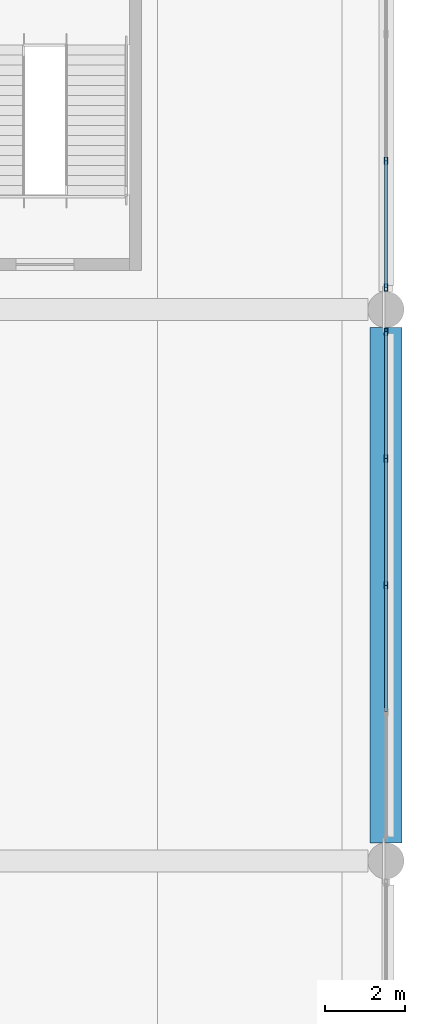
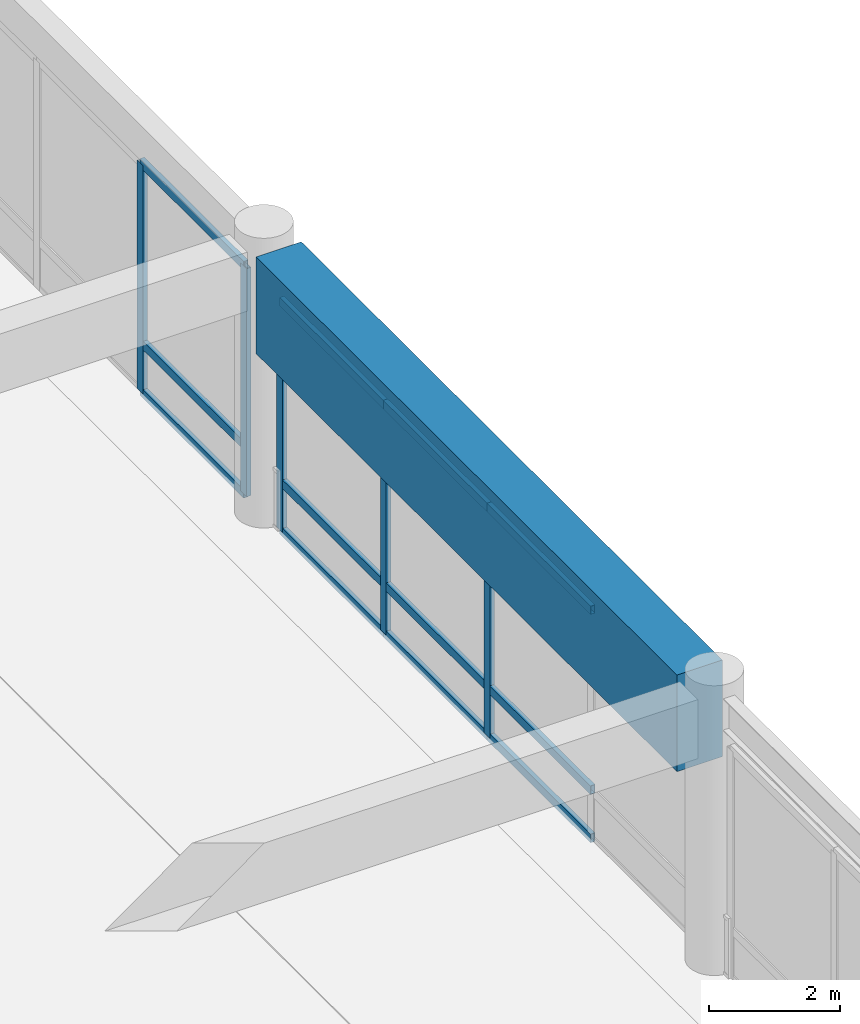
# One storey, part 60 of 117: 17 members, 1 beam, 2 elements without a shape of their own.
"""IFC4 building model written with IfcOpenShell, lengths in metres."""

from ifc_helpers import new_model, si_unit, direction, frame, origin, origin_2d, place, context, subcontext, project, spatial, rectangle, hollow_rectangle, extrude, material, material_profile, profile_set, type_object, element, aggregate, save


model = new_model("IFC4")

# Units and contexts
model_context = context("Model", 3, precision=1e-05, world=origin(), true_north=direction((0.0, 1.0)))
body_context = subcontext(model_context, "Body", "Model", "MODEL_VIEW")
ifc_project = project(units=[si_unit("LENGTHUNIT", "METRE"), si_unit("AREAUNIT", "SQUARE_METRE"), si_unit("VOLUMEUNIT", "CUBIC_METRE"), si_unit("PLANEANGLEUNIT", "RADIAN"), si_unit("MASSUNIT", "GRAM", prefix="KILO")], contexts=[model_context])

# Site, building, storey
site_placement = place(None, origin())
site = spatial("IfcSite", under=ifc_project, at=site_placement, CompositionType="ELEMENT")
building_placement = place(site_placement, origin())
building = spatial("IfcBuilding", under=site, at=building_placement, Name="Linyun Crest Stadium", CompositionType="ELEMENT")
storey_placement = place(building_placement, frame((0.0, 0.0, 6.0)))
storey = spatial("IfcBuildingStorey", under=building, at=storey_placement, Name="L02", CompositionType="ELEMENT", Elevation=6.0)

# Beam
ifc_material_1 = material(Name="Concrete C50", Category="concrete")
ifc_material_profile_1 = material_profile(ifc_material_1, rectangle(XDim=0.800048828125, YDim=1.800048828125, at=origin_2d()), Name="RCB 1800x800")
ifc_profile_set_1 = profile_set([ifc_material_profile_1], Name="Concrete C50")
beam_type = type_object("IfcBeamType", Name="B14", PredefinedType="BEAM", material=ifc_profile_set_1)
beam_placement = place(storey_placement, frame((98.0, 2.574951171875, 4.25), z_axis=(0.0, 1.0, 0.0), x_axis=(-1.0, 0.0, 0.0)))
element("IfcBeam", 1, at=beam_placement, inside=storey, type_object=beam_type, Name="Frame beam B14 L02 603", PredefinedType="BEAM", context=body_context, shape_type="SweptSolid", body=[
    extrude(rectangle(XDim=0.800048828125, YDim=1.800048828125, at=origin_2d()), origin(), (0.0, 0.0, 1.0), 12.85009765625),
])

# Curtain wall, members
ifc_material_2 = material(Name="Verdigris steel and low-E curtain wall assembly", Category="steel")
curtain_wall_type = type_object("IfcCurtainWallType", Name="MCW01", PredefinedType="NOTDEFINED", material=ifc_material_2)
curtain_wall_1_placement = place(storey_placement, origin())
curtain_wall_1 = element("IfcCurtainWall", 2, at=curtain_wall_1_placement, inside=storey, type_object=curtain_wall_type, Name="CWR-105", PredefinedType="NOTDEFINED")
ifc_material_3 = material(Name="Verdigris painted steel Q355B mullion", Category="steel")
ifc_material_profile_2 = material_profile(ifc_material_3, hollow_rectangle(XDim=0.080078125, YDim=0.179931640625, WallThickness=0.006103515625, at=origin_2d()), Name="RHS 180x80x6")
ifc_profile_set_2 = profile_set([ifc_material_profile_2], Name="Verdigris painted steel Q355B mullion")
member_type_1 = type_object("IfcMemberType", Name="ML02", PredefinedType="MULLION", material=ifc_profile_set_2)
member_1_placement = place(storey_placement, frame((98.0, 9.0, 0.0), z_axis=(0.0, 0.0, 1.0), x_axis=(-1.0, 0.0, 0.0)))
member_1 = element("IfcMember", 3, at=member_1_placement, type_object=member_type_1, Name="CWR-105 mullion 3", PredefinedType="MULLION", context=body_context, shape_type="SweptSolid", body=[
    extrude(hollow_rectangle(XDim=0.080078125, YDim=0.179931640625, WallThickness=0.006103515625, at=origin_2d()), origin(), (0.0, 0.0, 1.0), 4.25),
])
member_2_placement = place(storey_placement, frame((98.0, 12.162109375, 0.0), z_axis=(0.0, 0.0, 1.0), x_axis=(-1.0, 0.0, 0.0)))
member_2 = element("IfcMember", 4, at=member_2_placement, type_object=member_type_1, Name="CWR-105 mullion 4", PredefinedType="MULLION", context=body_context, shape_type="SweptSolid", body=[
    extrude(hollow_rectangle(XDim=0.080078125, YDim=0.179931640625, WallThickness=0.006103515625, at=origin_2d()), origin(), (0.0, 0.0, 1.0), 4.25),
])
member_3_placement = place(storey_placement, frame((98.0, 15.324951171875, 0.0), z_axis=(0.0, 0.0, 1.0), x_axis=(-1.0, 0.0, 0.0)))
member_3 = element("IfcMember", 5, at=member_3_placement, type_object=member_type_1, Name="CWR-105 mullion 5", PredefinedType="MULLION", context=body_context, shape_type="SweptSolid", body=[
    extrude(hollow_rectangle(XDim=0.080078125, YDim=0.179931640625, WallThickness=0.006103515625, at=origin_2d()), origin(), (0.0, 0.0, 1.0), 4.25),
])

curtain_wall_2_placement = place(storey_placement, origin())
curtain_wall_2 = element("IfcCurtainWall", 6, at=curtain_wall_2_placement, inside=storey, type_object=curtain_wall_type, Name="CWR-114", PredefinedType="NOTDEFINED")
member_4_placement = place(storey_placement, frame((98.0, 16.425048828125, 0.0), z_axis=(0.0, 0.0, 1.0), x_axis=(-1.0, 0.0, 0.0)))
member_4 = element("IfcMember", 7, at=member_4_placement, type_object=member_type_1, Name="CWR-114 mullion 1", PredefinedType="MULLION", context=body_context, shape_type="SweptSolid", body=[
    extrude(hollow_rectangle(XDim=0.080078125, YDim=0.179931640625, WallThickness=0.006103515625, at=origin_2d()), origin(), (0.0, 0.0, 1.0), 4.25),
])
member_5_placement = place(storey_placement, frame((98.0, 19.587890625, 0.0), z_axis=(0.0, 0.0, 1.0), x_axis=(-1.0, 0.0, 0.0)))
member_5 = element("IfcMember", 8, at=member_5_placement, type_object=member_type_1, Name="CWR-114 mullion 2", PredefinedType="MULLION", context=body_context, shape_type="SweptSolid", body=[
    extrude(hollow_rectangle(XDim=0.080078125, YDim=0.179931640625, WallThickness=0.006103515625, at=origin_2d()), origin(), (0.0, 0.0, 1.0), 4.25),
])

# Member
ifc_material_4 = material(Name="Aluminium thermally broken transom", Category="aluminium")
ifc_material_profile_3 = material_profile(ifc_material_4, hollow_rectangle(XDim=0.080078125, YDim=0.159912109375, WallThickness=0.006103515625, at=origin_2d()), Name="RHS 160x80x6")
ifc_profile_set_3 = profile_set([ifc_material_profile_3], Name="Aluminium thermally broken transom")
member_type_2 = type_object("IfcMemberType", Name="TR01", PredefinedType="USERDEFINED", material=ifc_profile_set_3)
member_6_placement = place(storey_placement, frame((98.0, 5.8369140625, 0.0), z_axis=(0.0, 1.0, 0.0), x_axis=(-1.0, 0.0, 0.0)))
member_6 = element("IfcMember", 9, at=member_6_placement, type_object=member_type_2, Name="CWR-105 transom 2.1", ObjectType="TRANSOM", PredefinedType="USERDEFINED", context=body_context, shape_type="SweptSolid", body=[
    extrude(hollow_rectangle(XDim=0.080078125, YDim=0.159912109375, WallThickness=0.006103515625, at=origin_2d()), origin(), (0.0, 0.0, 1.0), 3.1630859375),
])

member_7_placement = place(storey_placement, frame((98.0, 5.8369140625, 0.89990234375), z_axis=(0.0, 1.0, 0.0), x_axis=(-1.0, 0.0, 0.0)))
member_7 = element("IfcMember", 10, at=member_7_placement, type_object=member_type_2, Name="CWR-105 transom 2.2", ObjectType="TRANSOM", PredefinedType="USERDEFINED", context=body_context, shape_type="SweptSolid", body=[
    extrude(hollow_rectangle(XDim=0.080078125, YDim=0.159912109375, WallThickness=0.006103515625, at=origin_2d()), origin(), (0.0, 0.0, 1.0), 3.1630859375),
])

member_8_placement = place(storey_placement, frame((98.0, 5.8369140625, 4.25), z_axis=(0.0, 1.0, 0.0), x_axis=(-1.0, 0.0, 0.0)))
member_8 = element("IfcMember", 11, at=member_8_placement, type_object=member_type_2, Name="CWR-105 transom 2.3", ObjectType="TRANSOM", PredefinedType="USERDEFINED", context=body_context, shape_type="SweptSolid", body=[
    extrude(hollow_rectangle(XDim=0.080078125, YDim=0.159912109375, WallThickness=0.006103515625, at=origin_2d()), origin(), (0.0, 0.0, 1.0), 3.1630859375),
])

member_9_placement = place(storey_placement, frame((98.0, 9.0, 0.0), z_axis=(0.0, 1.0, 0.0), x_axis=(-1.0, 0.0, 0.0)))
member_9 = element("IfcMember", 12, at=member_9_placement, type_object=member_type_2, Name="CWR-105 transom 3.1", ObjectType="TRANSOM", PredefinedType="USERDEFINED", context=body_context, shape_type="SweptSolid", body=[
    extrude(hollow_rectangle(XDim=0.080078125, YDim=0.159912109375, WallThickness=0.006103515625, at=origin_2d()), origin(), (0.0, 0.0, 1.0), 3.162109375),
])

member_10_placement = place(storey_placement, frame((98.0, 9.0, 0.89990234375), z_axis=(0.0, 1.0, 0.0), x_axis=(-1.0, 0.0, 0.0)))
member_10 = element("IfcMember", 13, at=member_10_placement, type_object=member_type_2, Name="CWR-105 transom 3.2", ObjectType="TRANSOM", PredefinedType="USERDEFINED", context=body_context, shape_type="SweptSolid", body=[
    extrude(hollow_rectangle(XDim=0.080078125, YDim=0.159912109375, WallThickness=0.006103515625, at=origin_2d()), origin(), (0.0, 0.0, 1.0), 3.162109375),
])

member_11_placement = place(storey_placement, frame((98.0, 9.0, 4.25), z_axis=(0.0, 1.0, 0.0), x_axis=(-1.0, 0.0, 0.0)))
member_11 = element("IfcMember", 14, at=member_11_placement, type_object=member_type_2, Name="CWR-105 transom 3.3", ObjectType="TRANSOM", PredefinedType="USERDEFINED", context=body_context, shape_type="SweptSolid", body=[
    extrude(hollow_rectangle(XDim=0.080078125, YDim=0.159912109375, WallThickness=0.006103515625, at=origin_2d()), origin(), (0.0, 0.0, 1.0), 3.162109375),
])

member_12_placement = place(storey_placement, frame((98.0, 12.162109375, 0.0), z_axis=(0.0, 1.0, 0.0), x_axis=(-1.0, 0.0, 0.0)))
member_12 = element("IfcMember", 15, at=member_12_placement, type_object=member_type_2, Name="CWR-105 transom 4.1", ObjectType="TRANSOM", PredefinedType="USERDEFINED", context=body_context, shape_type="SweptSolid", body=[
    extrude(hollow_rectangle(XDim=0.080078125, YDim=0.159912109375, WallThickness=0.006103515625, at=origin_2d()), origin(), (0.0, 0.0, 1.0), 3.162841796875),
])

member_13_placement = place(storey_placement, frame((98.0, 12.162109375, 0.89990234375), z_axis=(0.0, 1.0, 0.0), x_axis=(-1.0, 0.0, 0.0)))
member_13 = element("IfcMember", 16, at=member_13_placement, type_object=member_type_2, Name="CWR-105 transom 4.2", ObjectType="TRANSOM", PredefinedType="USERDEFINED", context=body_context, shape_type="SweptSolid", body=[
    extrude(hollow_rectangle(XDim=0.080078125, YDim=0.159912109375, WallThickness=0.006103515625, at=origin_2d()), origin(), (0.0, 0.0, 1.0), 3.162841796875),
])

member_14_placement = place(storey_placement, frame((98.0, 12.162109375, 4.25), z_axis=(0.0, 1.0, 0.0), x_axis=(-1.0, 0.0, 0.0)))
member_14 = element("IfcMember", 17, at=member_14_placement, type_object=member_type_2, Name="CWR-105 transom 4.3", ObjectType="TRANSOM", PredefinedType="USERDEFINED", context=body_context, shape_type="SweptSolid", body=[
    extrude(hollow_rectangle(XDim=0.080078125, YDim=0.159912109375, WallThickness=0.006103515625, at=origin_2d()), origin(), (0.0, 0.0, 1.0), 3.162841796875),
])

aggregate(curtain_wall_1, [member_1, member_2, member_3, member_6, member_7, member_8, member_9, member_10, member_11, member_12, member_13, member_14])

member_15_placement = place(storey_placement, frame((98.0, 16.425048828125, 0.0), z_axis=(0.0, 1.0, 0.0), x_axis=(-1.0, 0.0, 0.0)))
member_15 = element("IfcMember", 18, at=member_15_placement, type_object=member_type_2, Name="CWR-114 transom 1.1", ObjectType="TRANSOM", PredefinedType="USERDEFINED", context=body_context, shape_type="SweptSolid", body=[
    extrude(hollow_rectangle(XDim=0.080078125, YDim=0.159912109375, WallThickness=0.006103515625, at=origin_2d()), origin(), (0.0, 0.0, 1.0), 3.162841796875),
])

member_16_placement = place(storey_placement, frame((98.0, 16.425048828125, 0.89990234375), z_axis=(0.0, 1.0, 0.0), x_axis=(-1.0, 0.0, 0.0)))
member_16 = element("IfcMember", 19, at=member_16_placement, type_object=member_type_2, Name="CWR-114 transom 1.2", ObjectType="TRANSOM", PredefinedType="USERDEFINED", context=body_context, shape_type="SweptSolid", body=[
    extrude(hollow_rectangle(XDim=0.080078125, YDim=0.159912109375, WallThickness=0.006103515625, at=origin_2d()), origin(), (0.0, 0.0, 1.0), 3.162841796875),
])

member_17_placement = place(storey_placement, frame((98.0, 16.425048828125, 4.25), z_axis=(0.0, 1.0, 0.0), x_axis=(-1.0, 0.0, 0.0)))
member_17 = element("IfcMember", 20, at=member_17_placement, type_object=member_type_2, Name="CWR-114 transom 1.3", ObjectType="TRANSOM", PredefinedType="USERDEFINED", context=body_context, shape_type="SweptSolid", body=[
    extrude(hollow_rectangle(XDim=0.080078125, YDim=0.159912109375, WallThickness=0.006103515625, at=origin_2d()), origin(), (0.0, 0.0, 1.0), 3.162841796875),
])

aggregate(curtain_wall_2, [member_4, member_5, member_15, member_16, member_17])

save(model, "model.ifc")
